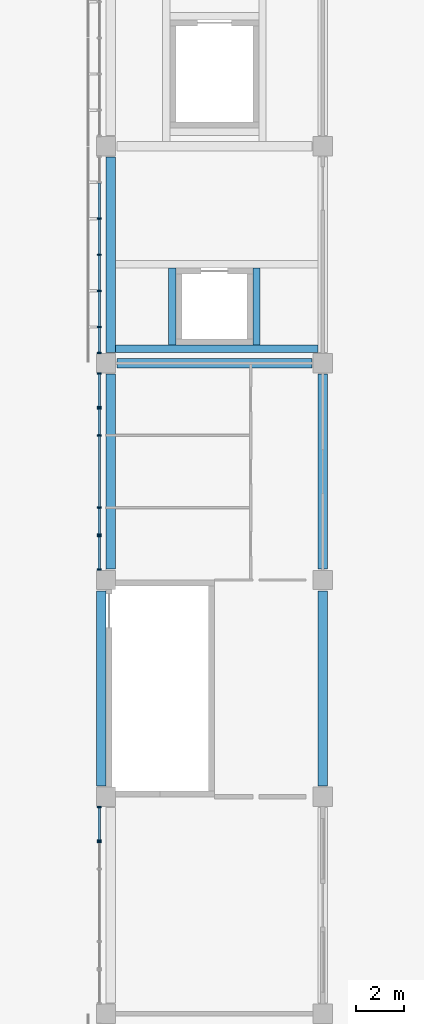
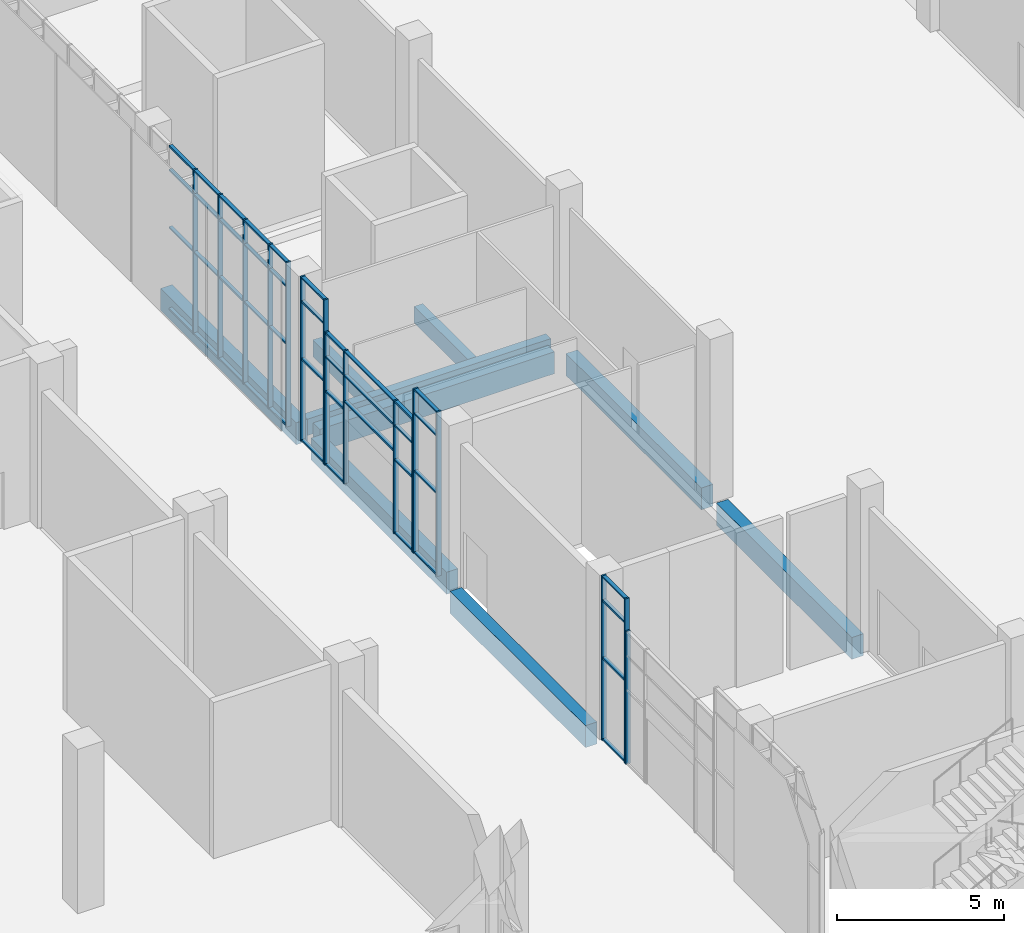
# One storey, part 19 of 86: 59 members, 9 beams, 6 elements without a shape of their own.
"""IFC4 building model written with IfcOpenShell, lengths in metres."""

from ifc_helpers import new_model, si_unit, direction, frame, origin, origin_2d, place, context, subcontext, project, spatial, rectangle, extrude, material, layer, layer_set, material_profile, profile_set, type_object, element, aggregate, save


model = new_model("IFC4")

# Units and contexts
model_context = context("Model", 3, precision=1e-05, world=origin(), true_north=direction((0.0, 1.0)))
body_context = subcontext(model_context, "Body", "Model", "MODEL_VIEW")
ifc_project = project(units=[si_unit("LENGTHUNIT", "METRE"), si_unit("AREAUNIT", "SQUARE_METRE"), si_unit("VOLUMEUNIT", "CUBIC_METRE"), si_unit("PLANEANGLEUNIT", "RADIAN"), si_unit("MASSUNIT", "GRAM", prefix="KILO")], contexts=[model_context])

# Site, building, storey
site_placement = place(None, origin())
site = spatial("IfcSite", under=ifc_project, at=site_placement, CompositionType="ELEMENT")
building_placement = place(site_placement, origin())
building = spatial("IfcBuilding", under=site, at=building_placement, Name="Guidao Yard Department Store", CompositionType="ELEMENT")
storey_placement = place(building_placement, origin())
storey = spatial("IfcBuildingStorey", under=building, at=storey_placement, Name="L00", CompositionType="ELEMENT", Elevation=0.0)

# Beams
ifc_material_1 = material(Name="Concrete C40", Category="concrete")
ifc_material_profile_1 = material_profile(ifc_material_1, rectangle(XDim=0.39990234375, YDim=0.800048828125, at=origin_2d()), Name="Edge beam 400 x 800 C40")
ifc_profile_set_1 = profile_set([ifc_material_profile_1], Name="Concrete C40")
beam_type_1 = type_object("IfcBeamType", Name="Edge beam 400 x 800 C40", PredefinedType="BEAM", material=ifc_profile_set_1)
for number, where, z_axis, x_axis, name in (
    (1, (72.199951171875, 72.449951171875, -0.39990234375), (0.0, 1.0, 0.0), (-1.0, 0.0, 0.0), "Beam EB37"),
    (2, (72.199951171875, 81.449951171875, -0.39990234375), (0.0, 1.0, 0.0), (-1.0, 0.0, 0.0), "Beam EB38"),
    (3, (81.0, 63.449951171875, -0.39990234375), (0.0, 1.0, 0.0), (-1.0, 0.0, 0.0), "Beam EB57"),
    (4, (81.0, 72.449951171875, -0.39990234375), (0.0, 1.0, 0.0), (-1.0, 0.0, 0.0), "Beam EB58"),
    (5, (71.800048828125, 63.449951171875, -0.39990234375), (0.0, 1.0, 0.0), (-1.0, 0.0, 0.0), "Beam EB72"),
    (6, (72.449951171875, 81.0, -0.39990234375), (1.0, 0.0, 0.0), (0.0, 1.0, 0.0), "Beam EB101"),
):
    element("IfcBeam", number, at=place(storey_placement, frame(where, z_axis=z_axis, x_axis=x_axis)), inside=storey, type_object=beam_type_1, Name=name, PredefinedType="BEAM", context=body_context, shape_type="SweptSolid", body=[
        extrude(rectangle(XDim=0.39990234375, YDim=0.800048828125, at=origin_2d()), origin(), (0.0, 0.0, 1.0), 8.10009765625),
    ])

# Curtain wall, member
ifc_material_2 = material(Name="Aluminium and glass", Category="aluminium")
ifc_layer = layer(ifc_material_2, 0.159912109375)
ifc_layer_set = layer_set([ifc_layer], Name="Shopfront curtain wall CW1 1500 module")
curtain_wall_type = type_object("IfcCurtainWallType", Name="Shopfront curtain wall CW1 1500 module", PredefinedType="NOTDEFINED", material=ifc_layer_set)
curtain_wall_1_placement = place(storey_placement, origin())
curtain_wall_1 = element("IfcCurtainWall", 7, at=curtain_wall_1_placement, inside=storey, type_object=curtain_wall_type, Name="Arcade shop front", PredefinedType="NOTDEFINED")
ifc_material_3 = material(Name="Aluminium 6063-T5", Category="aluminium")
ifc_material_profile_2 = material_profile(ifc_material_3, rectangle(XDim=0.06005859375, YDim=0.159912109375, at=origin_2d()), Name="Mullion M1 60 x 160 aluminium pressure plate")
ifc_profile_set_2 = profile_set([ifc_material_profile_2], Name="Aluminium 6063-T5")
member_type_1 = type_object("IfcMemberType", Name="Mullion M1 60 x 160 aluminium pressure plate", PredefinedType="MULLION", material=ifc_profile_set_2)
member_1_placement = place(storey_placement, frame((71.719970703125, 61.1201171875, 0.0), z_axis=(0.0, 0.0, 1.0), x_axis=(0.0, 1.0, 0.0)))
member_1 = element("IfcMember", 8, at=member_1_placement, type_object=member_type_1, Name="CW-AS-L00-03 mullion 4", PredefinedType="MULLION", context=body_context, shape_type="SweptSolid", body=[
    extrude(rectangle(XDim=0.06005859375, YDim=0.159912109375, at=origin_2d()), origin(), (0.0, 0.0, 1.0), 4.85009765625),
])
aggregate(curtain_wall_1, [member_1])

# Curtain wall, members
curtain_wall_2_placement = place(storey_placement, origin())
curtain_wall_2 = element("IfcCurtainWall", 9, at=curtain_wall_2_placement, inside=storey, type_object=curtain_wall_type, Name="Arcade shop front", PredefinedType="NOTDEFINED")
member_2_placement = place(storey_placement, frame((71.719970703125, 61.179931640625, 0.0), z_axis=(0.0, 0.0, 1.0), x_axis=(0.0, 1.0, 0.0)))
member_2 = element("IfcMember", 10, at=member_2_placement, type_object=member_type_1, Name="CW-AS-L00-04 mullion 1", PredefinedType="MULLION", context=body_context, shape_type="SweptSolid", body=[
    extrude(rectangle(XDim=0.06005859375, YDim=0.159912109375, at=origin_2d()), origin(), (0.0, 0.0, 1.0), 6.0),
])
member_3_placement = place(storey_placement, frame((71.719970703125, 62.570068359375, 0.0), z_axis=(0.0, 0.0, 1.0), x_axis=(0.0, 1.0, 0.0)))
member_3 = element("IfcMember", 11, at=member_3_placement, type_object=member_type_1, Name="CW-AS-L00-04 mullion 2", PredefinedType="MULLION", context=body_context, shape_type="SweptSolid", body=[
    extrude(rectangle(XDim=0.06005859375, YDim=0.159912109375, at=origin_2d()), origin(), (0.0, 0.0, 1.0), 6.0),
])

curtain_wall_3_placement = place(storey_placement, origin())
curtain_wall_3 = element("IfcCurtainWall", 12, at=curtain_wall_3_placement, inside=storey, type_object=curtain_wall_type, Name="Arcade shop front", PredefinedType="NOTDEFINED")
member_4_placement = place(storey_placement, frame((71.719970703125, 72.429931640625, 0.0), z_axis=(0.0, 0.0, 1.0), x_axis=(0.0, 1.0, 0.0)))
member_4 = element("IfcMember", 13, at=member_4_placement, type_object=member_type_1, Name="CW-AS-L00-05 mullion 1", PredefinedType="MULLION", context=body_context, shape_type="SweptSolid", body=[
    extrude(rectangle(XDim=0.06005859375, YDim=0.159912109375, at=origin_2d()), origin(), (0.0, 0.0, 1.0), 6.0),
])
member_5_placement = place(storey_placement, frame((71.719970703125, 73.820068359375, 0.0), z_axis=(0.0, 0.0, 1.0), x_axis=(0.0, 1.0, 0.0)))
member_5 = element("IfcMember", 14, at=member_5_placement, type_object=member_type_1, Name="CW-AS-L00-05 mullion 2", PredefinedType="MULLION", context=body_context, shape_type="SweptSolid", body=[
    extrude(rectangle(XDim=0.06005859375, YDim=0.159912109375, at=origin_2d()), origin(), (0.0, 0.0, 1.0), 6.0),
])

curtain_wall_4_placement = place(storey_placement, origin())
curtain_wall_4 = element("IfcCurtainWall", 15, at=curtain_wall_4_placement, inside=storey, type_object=curtain_wall_type, Name="Arcade shop front", PredefinedType="NOTDEFINED")
member_6_placement = place(storey_placement, frame((71.719970703125, 73.8798828125, 0.0), z_axis=(0.0, 0.0, 1.0), x_axis=(0.0, 1.0, 0.0)))
member_6 = element("IfcMember", 16, at=member_6_placement, type_object=member_type_1, Name="CW-AS-L00-06 mullion 1", PredefinedType="MULLION", context=body_context, shape_type="SweptSolid", body=[
    extrude(rectangle(XDim=0.06005859375, YDim=0.159912109375, at=origin_2d()), origin(), (0.0, 0.0, 1.0), 4.85009765625),
])
member_7_placement = place(storey_placement, frame((71.719970703125, 75.0, 0.0), z_axis=(0.0, 0.0, 1.0), x_axis=(0.0, 1.0, 0.0)))
member_7 = element("IfcMember", 17, at=member_7_placement, type_object=member_type_1, Name="CW-AS-L00-06 mullion 2", PredefinedType="MULLION", context=body_context, shape_type="SweptSolid", body=[
    extrude(rectangle(XDim=0.06005859375, YDim=0.159912109375, at=origin_2d()), origin(), (0.0, 0.0, 1.0), 4.85009765625),
])
member_8_placement = place(storey_placement, frame((71.719970703125, 78.0, 0.0), z_axis=(0.0, 0.0, 1.0), x_axis=(0.0, 1.0, 0.0)))
member_8 = element("IfcMember", 18, at=member_8_placement, type_object=member_type_1, Name="CW-AS-L00-06 mullion 3", PredefinedType="MULLION", context=body_context, shape_type="SweptSolid", body=[
    extrude(rectangle(XDim=0.06005859375, YDim=0.159912109375, at=origin_2d()), origin(), (0.0, 0.0, 1.0), 4.85009765625),
])
member_9_placement = place(storey_placement, frame((71.719970703125, 79.1201171875, 0.0), z_axis=(0.0, 0.0, 1.0), x_axis=(0.0, 1.0, 0.0)))
member_9 = element("IfcMember", 19, at=member_9_placement, type_object=member_type_1, Name="CW-AS-L00-06 mullion 4", PredefinedType="MULLION", context=body_context, shape_type="SweptSolid", body=[
    extrude(rectangle(XDim=0.06005859375, YDim=0.159912109375, at=origin_2d()), origin(), (0.0, 0.0, 1.0), 4.85009765625),
])

curtain_wall_5_placement = place(storey_placement, origin())
curtain_wall_5 = element("IfcCurtainWall", 20, at=curtain_wall_5_placement, inside=storey, type_object=curtain_wall_type, Name="Arcade shop front", PredefinedType="NOTDEFINED")
member_10_placement = place(storey_placement, frame((71.719970703125, 79.179931640625, 0.0), z_axis=(0.0, 0.0, 1.0), x_axis=(0.0, 1.0, 0.0)))
member_10 = element("IfcMember", 21, at=member_10_placement, type_object=member_type_1, Name="CW-AS-L00-07 mullion 1", PredefinedType="MULLION", context=body_context, shape_type="SweptSolid", body=[
    extrude(rectangle(XDim=0.06005859375, YDim=0.159912109375, at=origin_2d()), origin(), (0.0, 0.0, 1.0), 6.0),
])
member_11_placement = place(storey_placement, frame((71.719970703125, 80.570068359375, 0.0), z_axis=(0.0, 0.0, 1.0), x_axis=(0.0, 1.0, 0.0)))
member_11 = element("IfcMember", 22, at=member_11_placement, type_object=member_type_1, Name="CW-AS-L00-07 mullion 2", PredefinedType="MULLION", context=body_context, shape_type="SweptSolid", body=[
    extrude(rectangle(XDim=0.06005859375, YDim=0.159912109375, at=origin_2d()), origin(), (0.0, 0.0, 1.0), 6.0),
])

curtain_wall_6_placement = place(storey_placement, origin())
curtain_wall_6 = element("IfcCurtainWall", 23, at=curtain_wall_6_placement, inside=storey, type_object=curtain_wall_type, Name="Arcade shop front", PredefinedType="NOTDEFINED")
member_12_placement = place(storey_placement, frame((71.719970703125, 81.429931640625, 0.0), z_axis=(0.0, 0.0, 1.0), x_axis=(0.0, 1.0, 0.0)))
member_12 = element("IfcMember", 24, at=member_12_placement, type_object=member_type_1, Name="CW-AS-L00-08 mullion 1", PredefinedType="MULLION", context=body_context, shape_type="SweptSolid", body=[
    extrude(rectangle(XDim=0.06005859375, YDim=0.159912109375, at=origin_2d()), origin(), (0.0, 0.0, 1.0), 6.0),
])
member_13_placement = place(storey_placement, frame((71.719970703125, 82.5, 0.0), z_axis=(0.0, 0.0, 1.0), x_axis=(0.0, 1.0, 0.0)))
member_13 = element("IfcMember", 25, at=member_13_placement, type_object=member_type_1, Name="CW-AS-L00-08 mullion 2", PredefinedType="MULLION", context=body_context, shape_type="SweptSolid", body=[
    extrude(rectangle(XDim=0.06005859375, YDim=0.159912109375, at=origin_2d()), origin(), (0.0, 0.0, 1.0), 6.0),
])
member_14_placement = place(storey_placement, frame((71.719970703125, 84.0, 0.0), z_axis=(0.0, 0.0, 1.0), x_axis=(0.0, 1.0, 0.0)))
member_14 = element("IfcMember", 26, at=member_14_placement, type_object=member_type_1, Name="CW-AS-L00-08 mullion 3", PredefinedType="MULLION", context=body_context, shape_type="SweptSolid", body=[
    extrude(rectangle(XDim=0.06005859375, YDim=0.159912109375, at=origin_2d()), origin(), (0.0, 0.0, 1.0), 6.0),
])
member_15_placement = place(storey_placement, frame((71.719970703125, 85.5, 0.0), z_axis=(0.0, 0.0, 1.0), x_axis=(0.0, 1.0, 0.0)))
member_15 = element("IfcMember", 27, at=member_15_placement, type_object=member_type_1, Name="CW-AS-L00-08 mullion 4", PredefinedType="MULLION", context=body_context, shape_type="SweptSolid", body=[
    extrude(rectangle(XDim=0.06005859375, YDim=0.159912109375, at=origin_2d()), origin(), (0.0, 0.0, 1.0), 6.0),
])
member_16_placement = place(storey_placement, frame((71.719970703125, 87.0, 0.0), z_axis=(0.0, 0.0, 1.0), x_axis=(0.0, 1.0, 0.0)))
member_16 = element("IfcMember", 28, at=member_16_placement, type_object=member_type_1, Name="CW-AS-L00-08 mullion 5", PredefinedType="MULLION", context=body_context, shape_type="SweptSolid", body=[
    extrude(rectangle(XDim=0.06005859375, YDim=0.159912109375, at=origin_2d()), origin(), (0.0, 0.0, 1.0), 6.0),
])

# Beams
ifc_material_4 = material(Name="Concrete C40", Category="concrete")
ifc_material_profile_3 = material_profile(ifc_material_4, rectangle(XDim=0.300048828125, YDim=0.60009765625, at=origin_2d()), Name="Opening beam 300 x 600 C40")
ifc_profile_set_3 = profile_set([ifc_material_profile_3], Name="Concrete C40")
beam_type_2 = type_object("IfcBeamType", Name="Opening beam 300 x 600 C40", PredefinedType="BEAM", material=ifc_profile_set_3)
beam_placement = place(storey_placement, frame((72.39990234375, 81.60009765625, -0.300048828125), z_axis=(1.0, 0.0, 0.0), x_axis=(0.0, 1.0, 0.0)))
element("IfcBeam", 29, at=beam_placement, inside=storey, type_object=beam_type_2, Name="Beam OB17", PredefinedType="BEAM", context=body_context, shape_type="SweptSolid", body=[
    extrude(rectangle(XDim=0.300048828125, YDim=0.60009765625, at=origin_2d()), origin(), (0.0, 0.0, 1.0), 8.400146484375),
])
for number, where, z_axis, x_axis, name in (
    (30, (74.75, 81.75, -0.300048828125), (0.0, 1.0, 0.0), (-1.0, 0.0, 0.0), "Beam OB19"),
    (31, (78.25, 81.75, -0.300048828125), (0.0, 1.0, 0.0), (-1.0, 0.0, 0.0), "Beam OB20"),
):
    element("IfcBeam", number, at=place(storey_placement, frame(where, z_axis=z_axis, x_axis=x_axis)), inside=storey, type_object=beam_type_2, Name=name, PredefinedType="BEAM", context=body_context, shape_type="SweptSolid", body=[
        extrude(rectangle(XDim=0.300048828125, YDim=0.60009765625, at=origin_2d()), origin(), (0.0, 0.0, 1.0), 3.199951171875),
    ])

# Member
ifc_material_5 = material(Name="Aluminium 6063-T5", Category="aluminium")
ifc_material_profile_4 = material_profile(ifc_material_5, rectangle(XDim=0.1201171875, YDim=0.06005859375, at=origin_2d()), Name="Transom T1 60 x 120 aluminium pressure plate")
ifc_profile_set_4 = profile_set([ifc_material_profile_4], Name="Aluminium 6063-T5")
member_type_2 = type_object("IfcMemberType", Name="Transom T1 60 x 120 aluminium pressure plate", PredefinedType="USERDEFINED", material=ifc_profile_set_4)
member_17_placement = place(storey_placement, frame((71.719970703125, 61.2099609375, 0.030029296875), z_axis=(0.0, 1.0, 0.0), x_axis=(-1.0, 0.0, 0.0)))
member_17 = element("IfcMember", 32, at=member_17_placement, type_object=member_type_2, Name="CW-AS-L00-04 transom 1.1", ObjectType="TRANSOM", PredefinedType="USERDEFINED", context=body_context, shape_type="SweptSolid", body=[
    extrude(rectangle(XDim=0.1201171875, YDim=0.06005859375, at=origin_2d()), origin(), (0.0, 0.0, 1.0), 1.330078125),
])

member_18_placement = place(storey_placement, frame((71.719970703125, 61.2099609375, 3.0), z_axis=(0.0, 1.0, 0.0), x_axis=(-1.0, 0.0, 0.0)))
member_18 = element("IfcMember", 33, at=member_18_placement, type_object=member_type_2, Name="CW-AS-L00-04 transom 1.2", ObjectType="TRANSOM", PredefinedType="USERDEFINED", context=body_context, shape_type="SweptSolid", body=[
    extrude(rectangle(XDim=0.1201171875, YDim=0.06005859375, at=origin_2d()), origin(), (0.0, 0.0, 1.0), 1.330078125),
])

member_19_placement = place(storey_placement, frame((71.719970703125, 61.2099609375, 5.10009765625), z_axis=(0.0, 1.0, 0.0), x_axis=(-1.0, 0.0, 0.0)))
member_19 = element("IfcMember", 34, at=member_19_placement, type_object=member_type_2, Name="CW-AS-L00-04 transom 1.3", ObjectType="TRANSOM", PredefinedType="USERDEFINED", context=body_context, shape_type="SweptSolid", body=[
    extrude(rectangle(XDim=0.1201171875, YDim=0.06005859375, at=origin_2d()), origin(), (0.0, 0.0, 1.0), 1.330078125),
])

member_20_placement = place(storey_placement, frame((71.719970703125, 61.2099609375, 5.969970703125), z_axis=(0.0, 1.0, 0.0), x_axis=(-1.0, 0.0, 0.0)))
member_20 = element("IfcMember", 35, at=member_20_placement, type_object=member_type_2, Name="CW-AS-L00-04 transom 1.4", ObjectType="TRANSOM", PredefinedType="USERDEFINED", context=body_context, shape_type="SweptSolid", body=[
    extrude(rectangle(XDim=0.1201171875, YDim=0.06005859375, at=origin_2d()), origin(), (0.0, 0.0, 1.0), 1.330078125),
])

aggregate(curtain_wall_2, [member_2, member_3, member_17, member_18, member_19, member_20])

member_21_placement = place(storey_placement, frame((71.719970703125, 72.4599609375, 0.030029296875), z_axis=(0.0, 1.0, 0.0), x_axis=(-1.0, 0.0, 0.0)))
member_21 = element("IfcMember", 36, at=member_21_placement, type_object=member_type_2, Name="CW-AS-L00-05 transom 1.1", ObjectType="TRANSOM", PredefinedType="USERDEFINED", context=body_context, shape_type="SweptSolid", body=[
    extrude(rectangle(XDim=0.1201171875, YDim=0.06005859375, at=origin_2d()), origin(), (0.0, 0.0, 1.0), 1.330078125),
])

member_22_placement = place(storey_placement, frame((71.719970703125, 72.4599609375, 3.0), z_axis=(0.0, 1.0, 0.0), x_axis=(-1.0, 0.0, 0.0)))
member_22 = element("IfcMember", 37, at=member_22_placement, type_object=member_type_2, Name="CW-AS-L00-05 transom 1.2", ObjectType="TRANSOM", PredefinedType="USERDEFINED", context=body_context, shape_type="SweptSolid", body=[
    extrude(rectangle(XDim=0.1201171875, YDim=0.06005859375, at=origin_2d()), origin(), (0.0, 0.0, 1.0), 1.330078125),
])

member_23_placement = place(storey_placement, frame((71.719970703125, 72.4599609375, 5.10009765625), z_axis=(0.0, 1.0, 0.0), x_axis=(-1.0, 0.0, 0.0)))
member_23 = element("IfcMember", 38, at=member_23_placement, type_object=member_type_2, Name="CW-AS-L00-05 transom 1.3", ObjectType="TRANSOM", PredefinedType="USERDEFINED", context=body_context, shape_type="SweptSolid", body=[
    extrude(rectangle(XDim=0.1201171875, YDim=0.06005859375, at=origin_2d()), origin(), (0.0, 0.0, 1.0), 1.330078125),
])

member_24_placement = place(storey_placement, frame((71.719970703125, 72.4599609375, 5.969970703125), z_axis=(0.0, 1.0, 0.0), x_axis=(-1.0, 0.0, 0.0)))
member_24 = element("IfcMember", 39, at=member_24_placement, type_object=member_type_2, Name="CW-AS-L00-05 transom 1.4", ObjectType="TRANSOM", PredefinedType="USERDEFINED", context=body_context, shape_type="SweptSolid", body=[
    extrude(rectangle(XDim=0.1201171875, YDim=0.06005859375, at=origin_2d()), origin(), (0.0, 0.0, 1.0), 1.330078125),
])

aggregate(curtain_wall_3, [member_4, member_5, member_21, member_22, member_23, member_24])

member_25_placement = place(storey_placement, frame((71.719970703125, 73.909912109375, 0.030029296875), z_axis=(0.0, 1.0, 0.0), x_axis=(-1.0, 0.0, 0.0)))
member_25 = element("IfcMember", 40, at=member_25_placement, type_object=member_type_2, Name="CW-AS-L00-06 transom 1.1", ObjectType="TRANSOM", PredefinedType="USERDEFINED", context=body_context, shape_type="SweptSolid", body=[
    extrude(rectangle(XDim=0.1201171875, YDim=0.06005859375, at=origin_2d()), origin(), (0.0, 0.0, 1.0), 1.06005859375),
])

member_26_placement = place(storey_placement, frame((71.719970703125, 73.909912109375, 2.699951171875), z_axis=(0.0, 1.0, 0.0), x_axis=(-1.0, 0.0, 0.0)))
member_26 = element("IfcMember", 41, at=member_26_placement, type_object=member_type_2, Name="CW-AS-L00-06 transom 1.2", ObjectType="TRANSOM", PredefinedType="USERDEFINED", context=body_context, shape_type="SweptSolid", body=[
    extrude(rectangle(XDim=0.1201171875, YDim=0.06005859375, at=origin_2d()), origin(), (0.0, 0.0, 1.0), 1.06005859375),
])

member_27_placement = place(storey_placement, frame((71.719970703125, 73.909912109375, 3.949951171875), z_axis=(0.0, 1.0, 0.0), x_axis=(-1.0, 0.0, 0.0)))
member_27 = element("IfcMember", 42, at=member_27_placement, type_object=member_type_2, Name="CW-AS-L00-06 transom 1.3", ObjectType="TRANSOM", PredefinedType="USERDEFINED", context=body_context, shape_type="SweptSolid", body=[
    extrude(rectangle(XDim=0.1201171875, YDim=0.06005859375, at=origin_2d()), origin(), (0.0, 0.0, 1.0), 1.06005859375),
])

member_28_placement = place(storey_placement, frame((71.719970703125, 73.909912109375, 4.820068359375), z_axis=(0.0, 1.0, 0.0), x_axis=(-1.0, 0.0, 0.0)))
member_28 = element("IfcMember", 43, at=member_28_placement, type_object=member_type_2, Name="CW-AS-L00-06 transom 1.4", ObjectType="TRANSOM", PredefinedType="USERDEFINED", context=body_context, shape_type="SweptSolid", body=[
    extrude(rectangle(XDim=0.1201171875, YDim=0.06005859375, at=origin_2d()), origin(), (0.0, 0.0, 1.0), 1.06005859375),
])

member_29_placement = place(storey_placement, frame((71.719970703125, 75.030029296875, 3.0), z_axis=(0.0, 1.0, 0.0), x_axis=(-1.0, 0.0, 0.0)))
member_29 = element("IfcMember", 44, at=member_29_placement, type_object=member_type_2, Name="CW-AS-L00-06 transom 2.2", ObjectType="TRANSOM", PredefinedType="USERDEFINED", context=body_context, shape_type="SweptSolid", body=[
    extrude(rectangle(XDim=0.1201171875, YDim=0.06005859375, at=origin_2d()), origin(), (0.0, 0.0, 1.0), 2.93994140625),
])

member_30_placement = place(storey_placement, frame((71.719970703125, 75.030029296875, 3.949951171875), z_axis=(0.0, 1.0, 0.0), x_axis=(-1.0, 0.0, 0.0)))
member_30 = element("IfcMember", 45, at=member_30_placement, type_object=member_type_2, Name="CW-AS-L00-06 transom 2.3", ObjectType="TRANSOM", PredefinedType="USERDEFINED", context=body_context, shape_type="SweptSolid", body=[
    extrude(rectangle(XDim=0.1201171875, YDim=0.06005859375, at=origin_2d()), origin(), (0.0, 0.0, 1.0), 2.93994140625),
])

member_31_placement = place(storey_placement, frame((71.719970703125, 75.030029296875, 4.820068359375), z_axis=(0.0, 1.0, 0.0), x_axis=(-1.0, 0.0, 0.0)))
member_31 = element("IfcMember", 46, at=member_31_placement, type_object=member_type_2, Name="CW-AS-L00-06 transom 2.4", ObjectType="TRANSOM", PredefinedType="USERDEFINED", context=body_context, shape_type="SweptSolid", body=[
    extrude(rectangle(XDim=0.1201171875, YDim=0.06005859375, at=origin_2d()), origin(), (0.0, 0.0, 1.0), 2.93994140625),
])

member_32_placement = place(storey_placement, frame((71.719970703125, 78.030029296875, 0.030029296875), z_axis=(0.0, 1.0, 0.0), x_axis=(-1.0, 0.0, 0.0)))
member_32 = element("IfcMember", 47, at=member_32_placement, type_object=member_type_2, Name="CW-AS-L00-06 transom 3.1", ObjectType="TRANSOM", PredefinedType="USERDEFINED", context=body_context, shape_type="SweptSolid", body=[
    extrude(rectangle(XDim=0.1201171875, YDim=0.06005859375, at=origin_2d()), origin(), (0.0, 0.0, 1.0), 1.06005859375),
])

member_33_placement = place(storey_placement, frame((71.719970703125, 78.030029296875, 2.699951171875), z_axis=(0.0, 1.0, 0.0), x_axis=(-1.0, 0.0, 0.0)))
member_33 = element("IfcMember", 48, at=member_33_placement, type_object=member_type_2, Name="CW-AS-L00-06 transom 3.2", ObjectType="TRANSOM", PredefinedType="USERDEFINED", context=body_context, shape_type="SweptSolid", body=[
    extrude(rectangle(XDim=0.1201171875, YDim=0.06005859375, at=origin_2d()), origin(), (0.0, 0.0, 1.0), 1.06005859375),
])

member_34_placement = place(storey_placement, frame((71.719970703125, 78.030029296875, 3.949951171875), z_axis=(0.0, 1.0, 0.0), x_axis=(-1.0, 0.0, 0.0)))
member_34 = element("IfcMember", 49, at=member_34_placement, type_object=member_type_2, Name="CW-AS-L00-06 transom 3.3", ObjectType="TRANSOM", PredefinedType="USERDEFINED", context=body_context, shape_type="SweptSolid", body=[
    extrude(rectangle(XDim=0.1201171875, YDim=0.06005859375, at=origin_2d()), origin(), (0.0, 0.0, 1.0), 1.06005859375),
])

member_35_placement = place(storey_placement, frame((71.719970703125, 78.030029296875, 4.820068359375), z_axis=(0.0, 1.0, 0.0), x_axis=(-1.0, 0.0, 0.0)))
member_35 = element("IfcMember", 50, at=member_35_placement, type_object=member_type_2, Name="CW-AS-L00-06 transom 3.4", ObjectType="TRANSOM", PredefinedType="USERDEFINED", context=body_context, shape_type="SweptSolid", body=[
    extrude(rectangle(XDim=0.1201171875, YDim=0.06005859375, at=origin_2d()), origin(), (0.0, 0.0, 1.0), 1.06005859375),
])

aggregate(curtain_wall_4, [member_6, member_7, member_8, member_9, member_25, member_26, member_27, member_28, member_29, member_30, member_31, member_32, member_33, member_34, member_35])

member_36_placement = place(storey_placement, frame((71.719970703125, 79.2099609375, 0.030029296875), z_axis=(0.0, 1.0, 0.0), x_axis=(-1.0, 0.0, 0.0)))
member_36 = element("IfcMember", 51, at=member_36_placement, type_object=member_type_2, Name="CW-AS-L00-07 transom 1.1", ObjectType="TRANSOM", PredefinedType="USERDEFINED", context=body_context, shape_type="SweptSolid", body=[
    extrude(rectangle(XDim=0.1201171875, YDim=0.06005859375, at=origin_2d()), origin(), (0.0, 0.0, 1.0), 1.330078125),
])

member_37_placement = place(storey_placement, frame((71.719970703125, 79.2099609375, 3.0), z_axis=(0.0, 1.0, 0.0), x_axis=(-1.0, 0.0, 0.0)))
member_37 = element("IfcMember", 52, at=member_37_placement, type_object=member_type_2, Name="CW-AS-L00-07 transom 1.2", ObjectType="TRANSOM", PredefinedType="USERDEFINED", context=body_context, shape_type="SweptSolid", body=[
    extrude(rectangle(XDim=0.1201171875, YDim=0.06005859375, at=origin_2d()), origin(), (0.0, 0.0, 1.0), 1.330078125),
])

member_38_placement = place(storey_placement, frame((71.719970703125, 79.2099609375, 5.10009765625), z_axis=(0.0, 1.0, 0.0), x_axis=(-1.0, 0.0, 0.0)))
member_38 = element("IfcMember", 53, at=member_38_placement, type_object=member_type_2, Name="CW-AS-L00-07 transom 1.3", ObjectType="TRANSOM", PredefinedType="USERDEFINED", context=body_context, shape_type="SweptSolid", body=[
    extrude(rectangle(XDim=0.1201171875, YDim=0.06005859375, at=origin_2d()), origin(), (0.0, 0.0, 1.0), 1.330078125),
])

member_39_placement = place(storey_placement, frame((71.719970703125, 79.2099609375, 5.969970703125), z_axis=(0.0, 1.0, 0.0), x_axis=(-1.0, 0.0, 0.0)))
member_39 = element("IfcMember", 54, at=member_39_placement, type_object=member_type_2, Name="CW-AS-L00-07 transom 1.4", ObjectType="TRANSOM", PredefinedType="USERDEFINED", context=body_context, shape_type="SweptSolid", body=[
    extrude(rectangle(XDim=0.1201171875, YDim=0.06005859375, at=origin_2d()), origin(), (0.0, 0.0, 1.0), 1.330078125),
])

aggregate(curtain_wall_5, [member_10, member_11, member_36, member_37, member_38, member_39])

member_40_placement = place(storey_placement, frame((71.719970703125, 81.4599609375, 0.030029296875), z_axis=(0.0, 1.0, 0.0), x_axis=(-1.0, 0.0, 0.0)))
member_40 = element("IfcMember", 55, at=member_40_placement, type_object=member_type_2, Name="CW-AS-L00-08 transom 1.1", ObjectType="TRANSOM", PredefinedType="USERDEFINED", context=body_context, shape_type="SweptSolid", body=[
    extrude(rectangle(XDim=0.1201171875, YDim=0.06005859375, at=origin_2d()), origin(), (0.0, 0.0, 1.0), 1.010009765625),
])

member_41_placement = place(storey_placement, frame((71.719970703125, 81.4599609375, 3.0), z_axis=(0.0, 1.0, 0.0), x_axis=(-1.0, 0.0, 0.0)))
member_41 = element("IfcMember", 56, at=member_41_placement, type_object=member_type_2, Name="CW-AS-L00-08 transom 1.2", ObjectType="TRANSOM", PredefinedType="USERDEFINED", context=body_context, shape_type="SweptSolid", body=[
    extrude(rectangle(XDim=0.1201171875, YDim=0.06005859375, at=origin_2d()), origin(), (0.0, 0.0, 1.0), 1.010009765625),
])

member_42_placement = place(storey_placement, frame((71.719970703125, 81.4599609375, 5.10009765625), z_axis=(0.0, 1.0, 0.0), x_axis=(-1.0, 0.0, 0.0)))
member_42 = element("IfcMember", 57, at=member_42_placement, type_object=member_type_2, Name="CW-AS-L00-08 transom 1.3", ObjectType="TRANSOM", PredefinedType="USERDEFINED", context=body_context, shape_type="SweptSolid", body=[
    extrude(rectangle(XDim=0.1201171875, YDim=0.06005859375, at=origin_2d()), origin(), (0.0, 0.0, 1.0), 1.010009765625),
])

member_43_placement = place(storey_placement, frame((71.719970703125, 81.4599609375, 5.969970703125), z_axis=(0.0, 1.0, 0.0), x_axis=(-1.0, 0.0, 0.0)))
member_43 = element("IfcMember", 58, at=member_43_placement, type_object=member_type_2, Name="CW-AS-L00-08 transom 1.4", ObjectType="TRANSOM", PredefinedType="USERDEFINED", context=body_context, shape_type="SweptSolid", body=[
    extrude(rectangle(XDim=0.1201171875, YDim=0.06005859375, at=origin_2d()), origin(), (0.0, 0.0, 1.0), 1.010009765625),
])

member_44_placement = place(storey_placement, frame((71.719970703125, 82.530029296875, 0.030029296875), z_axis=(0.0, 1.0, 0.0), x_axis=(-1.0, 0.0, 0.0)))
member_44 = element("IfcMember", 59, at=member_44_placement, type_object=member_type_2, Name="CW-AS-L00-08 transom 2.1", ObjectType="TRANSOM", PredefinedType="USERDEFINED", context=body_context, shape_type="SweptSolid", body=[
    extrude(rectangle(XDim=0.1201171875, YDim=0.06005859375, at=origin_2d()), origin(), (0.0, 0.0, 1.0), 1.43994140625),
])

member_45_placement = place(storey_placement, frame((71.719970703125, 82.530029296875, 3.0), z_axis=(0.0, 1.0, 0.0), x_axis=(-1.0, 0.0, 0.0)))
member_45 = element("IfcMember", 60, at=member_45_placement, type_object=member_type_2, Name="CW-AS-L00-08 transom 2.2", ObjectType="TRANSOM", PredefinedType="USERDEFINED", context=body_context, shape_type="SweptSolid", body=[
    extrude(rectangle(XDim=0.1201171875, YDim=0.06005859375, at=origin_2d()), origin(), (0.0, 0.0, 1.0), 1.43994140625),
])

member_46_placement = place(storey_placement, frame((71.719970703125, 82.530029296875, 5.10009765625), z_axis=(0.0, 1.0, 0.0), x_axis=(-1.0, 0.0, 0.0)))
member_46 = element("IfcMember", 61, at=member_46_placement, type_object=member_type_2, Name="CW-AS-L00-08 transom 2.3", ObjectType="TRANSOM", PredefinedType="USERDEFINED", context=body_context, shape_type="SweptSolid", body=[
    extrude(rectangle(XDim=0.1201171875, YDim=0.06005859375, at=origin_2d()), origin(), (0.0, 0.0, 1.0), 1.43994140625),
])

member_47_placement = place(storey_placement, frame((71.719970703125, 82.530029296875, 5.969970703125), z_axis=(0.0, 1.0, 0.0), x_axis=(-1.0, 0.0, 0.0)))
member_47 = element("IfcMember", 62, at=member_47_placement, type_object=member_type_2, Name="CW-AS-L00-08 transom 2.4", ObjectType="TRANSOM", PredefinedType="USERDEFINED", context=body_context, shape_type="SweptSolid", body=[
    extrude(rectangle(XDim=0.1201171875, YDim=0.06005859375, at=origin_2d()), origin(), (0.0, 0.0, 1.0), 1.43994140625),
])

member_48_placement = place(storey_placement, frame((71.719970703125, 84.030029296875, 0.030029296875), z_axis=(0.0, 1.0, 0.0), x_axis=(-1.0, 0.0, 0.0)))
member_48 = element("IfcMember", 63, at=member_48_placement, type_object=member_type_2, Name="CW-AS-L00-08 transom 3.1", ObjectType="TRANSOM", PredefinedType="USERDEFINED", context=body_context, shape_type="SweptSolid", body=[
    extrude(rectangle(XDim=0.1201171875, YDim=0.06005859375, at=origin_2d()), origin(), (0.0, 0.0, 1.0), 1.43994140625),
])

member_49_placement = place(storey_placement, frame((71.719970703125, 84.030029296875, 3.0), z_axis=(0.0, 1.0, 0.0), x_axis=(-1.0, 0.0, 0.0)))
member_49 = element("IfcMember", 64, at=member_49_placement, type_object=member_type_2, Name="CW-AS-L00-08 transom 3.2", ObjectType="TRANSOM", PredefinedType="USERDEFINED", context=body_context, shape_type="SweptSolid", body=[
    extrude(rectangle(XDim=0.1201171875, YDim=0.06005859375, at=origin_2d()), origin(), (0.0, 0.0, 1.0), 1.43994140625),
])

member_50_placement = place(storey_placement, frame((71.719970703125, 84.030029296875, 5.10009765625), z_axis=(0.0, 1.0, 0.0), x_axis=(-1.0, 0.0, 0.0)))
member_50 = element("IfcMember", 65, at=member_50_placement, type_object=member_type_2, Name="CW-AS-L00-08 transom 3.3", ObjectType="TRANSOM", PredefinedType="USERDEFINED", context=body_context, shape_type="SweptSolid", body=[
    extrude(rectangle(XDim=0.1201171875, YDim=0.06005859375, at=origin_2d()), origin(), (0.0, 0.0, 1.0), 1.43994140625),
])

member_51_placement = place(storey_placement, frame((71.719970703125, 84.030029296875, 5.969970703125), z_axis=(0.0, 1.0, 0.0), x_axis=(-1.0, 0.0, 0.0)))
member_51 = element("IfcMember", 66, at=member_51_placement, type_object=member_type_2, Name="CW-AS-L00-08 transom 3.4", ObjectType="TRANSOM", PredefinedType="USERDEFINED", context=body_context, shape_type="SweptSolid", body=[
    extrude(rectangle(XDim=0.1201171875, YDim=0.06005859375, at=origin_2d()), origin(), (0.0, 0.0, 1.0), 1.43994140625),
])

member_52_placement = place(storey_placement, frame((71.719970703125, 85.530029296875, 0.030029296875), z_axis=(0.0, 1.0, 0.0), x_axis=(-1.0, 0.0, 0.0)))
member_52 = element("IfcMember", 67, at=member_52_placement, type_object=member_type_2, Name="CW-AS-L00-08 transom 4.1", ObjectType="TRANSOM", PredefinedType="USERDEFINED", context=body_context, shape_type="SweptSolid", body=[
    extrude(rectangle(XDim=0.1201171875, YDim=0.06005859375, at=origin_2d()), origin(), (0.0, 0.0, 1.0), 1.43994140625),
])

member_53_placement = place(storey_placement, frame((71.719970703125, 85.530029296875, 3.0), z_axis=(0.0, 1.0, 0.0), x_axis=(-1.0, 0.0, 0.0)))
member_53 = element("IfcMember", 68, at=member_53_placement, type_object=member_type_2, Name="CW-AS-L00-08 transom 4.2", ObjectType="TRANSOM", PredefinedType="USERDEFINED", context=body_context, shape_type="SweptSolid", body=[
    extrude(rectangle(XDim=0.1201171875, YDim=0.06005859375, at=origin_2d()), origin(), (0.0, 0.0, 1.0), 1.43994140625),
])

member_54_placement = place(storey_placement, frame((71.719970703125, 85.530029296875, 5.10009765625), z_axis=(0.0, 1.0, 0.0), x_axis=(-1.0, 0.0, 0.0)))
member_54 = element("IfcMember", 69, at=member_54_placement, type_object=member_type_2, Name="CW-AS-L00-08 transom 4.3", ObjectType="TRANSOM", PredefinedType="USERDEFINED", context=body_context, shape_type="SweptSolid", body=[
    extrude(rectangle(XDim=0.1201171875, YDim=0.06005859375, at=origin_2d()), origin(), (0.0, 0.0, 1.0), 1.43994140625),
])

member_55_placement = place(storey_placement, frame((71.719970703125, 85.530029296875, 5.969970703125), z_axis=(0.0, 1.0, 0.0), x_axis=(-1.0, 0.0, 0.0)))
member_55 = element("IfcMember", 70, at=member_55_placement, type_object=member_type_2, Name="CW-AS-L00-08 transom 4.4", ObjectType="TRANSOM", PredefinedType="USERDEFINED", context=body_context, shape_type="SweptSolid", body=[
    extrude(rectangle(XDim=0.1201171875, YDim=0.06005859375, at=origin_2d()), origin(), (0.0, 0.0, 1.0), 1.43994140625),
])

member_56_placement = place(storey_placement, frame((71.719970703125, 87.030029296875, 0.030029296875), z_axis=(0.0, 1.0, 0.0), x_axis=(-1.0, 0.0, 0.0)))
member_56 = element("IfcMember", 71, at=member_56_placement, type_object=member_type_2, Name="CW-AS-L00-08 transom 5.1", ObjectType="TRANSOM", PredefinedType="USERDEFINED", context=body_context, shape_type="SweptSolid", body=[
    extrude(rectangle(XDim=0.1201171875, YDim=0.06005859375, at=origin_2d()), origin(), (0.0, 0.0, 1.0), 1.43994140625),
])

member_57_placement = place(storey_placement, frame((71.719970703125, 87.030029296875, 3.0), z_axis=(0.0, 1.0, 0.0), x_axis=(-1.0, 0.0, 0.0)))
member_57 = element("IfcMember", 72, at=member_57_placement, type_object=member_type_2, Name="CW-AS-L00-08 transom 5.2", ObjectType="TRANSOM", PredefinedType="USERDEFINED", context=body_context, shape_type="SweptSolid", body=[
    extrude(rectangle(XDim=0.1201171875, YDim=0.06005859375, at=origin_2d()), origin(), (0.0, 0.0, 1.0), 1.43994140625),
])

member_58_placement = place(storey_placement, frame((71.719970703125, 87.030029296875, 5.10009765625), z_axis=(0.0, 1.0, 0.0), x_axis=(-1.0, 0.0, 0.0)))
member_58 = element("IfcMember", 73, at=member_58_placement, type_object=member_type_2, Name="CW-AS-L00-08 transom 5.3", ObjectType="TRANSOM", PredefinedType="USERDEFINED", context=body_context, shape_type="SweptSolid", body=[
    extrude(rectangle(XDim=0.1201171875, YDim=0.06005859375, at=origin_2d()), origin(), (0.0, 0.0, 1.0), 1.43994140625),
])

member_59_placement = place(storey_placement, frame((71.719970703125, 87.030029296875, 5.969970703125), z_axis=(0.0, 1.0, 0.0), x_axis=(-1.0, 0.0, 0.0)))
member_59 = element("IfcMember", 74, at=member_59_placement, type_object=member_type_2, Name="CW-AS-L00-08 transom 5.4", ObjectType="TRANSOM", PredefinedType="USERDEFINED", context=body_context, shape_type="SweptSolid", body=[
    extrude(rectangle(XDim=0.1201171875, YDim=0.06005859375, at=origin_2d()), origin(), (0.0, 0.0, 1.0), 1.43994140625),
])

aggregate(curtain_wall_6, [member_12, member_13, member_14, member_15, member_16, member_40, member_41, member_42, member_43, member_44, member_45, member_46, member_47, member_48, member_49, member_50, member_51, member_52, member_53, member_54, member_55, member_56, member_57, member_58, member_59])

save(model, "model.ifc")
